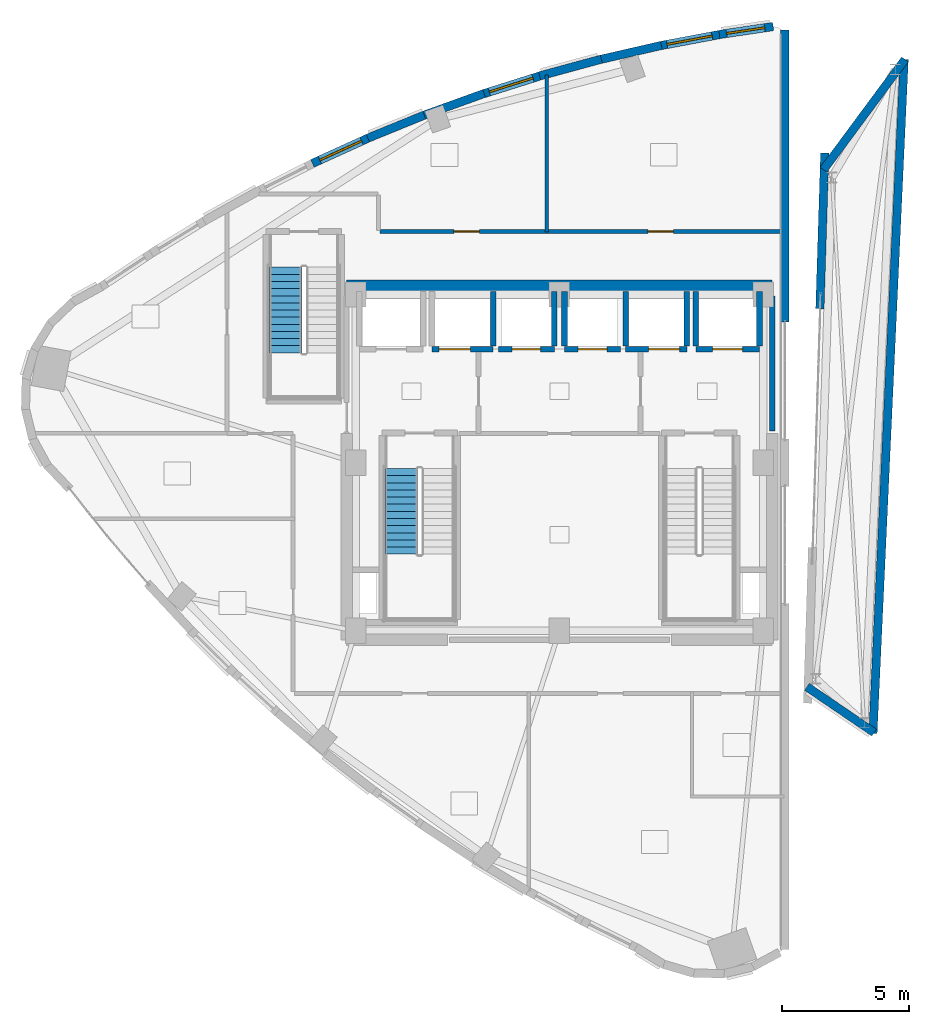
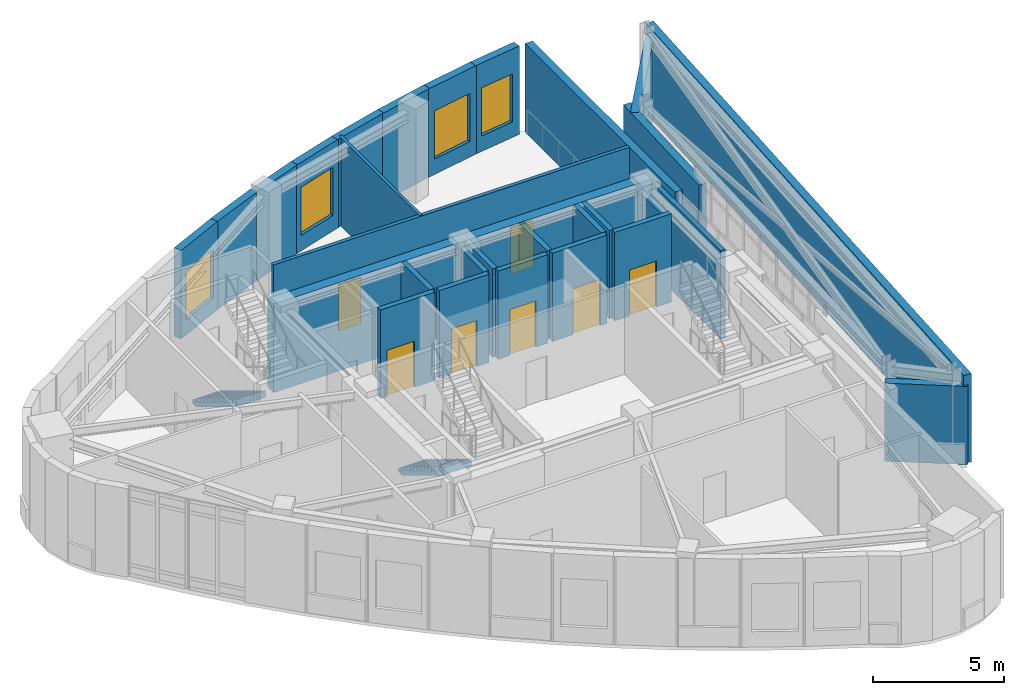
# One storey, part 15 of 19: 29 walls, 7 doors, 4 windows, 2 stair flights, 11 openings, 2 elements without a shape of their own.
"""IFC4 building model written with IfcOpenShell, lengths in metres."""

import ifcopenshell
import ifcopenshell.guid

model = None  # the IFC model being written
_history = None  # IfcOwnerHistory: only IFC2X3 demands one
_inside = {}  # id of a spatial element -> (the spatial element, [elements in it])
_under = {}  # id of a project, library or spatial element -> (it, [spatial elements below it])
_declared = {}  # id of a project -> (the project, [libraries it declares])
_typed = {}  # id of a type object -> (the type object, [elements of that type])
_made_of = {}  # id of a material, layer set ... -> (it, [elements and type objects made of it])


def new_model(schema):
    """Start an empty IFC model of exactly this schema.

    Asked for "IFC4X3", IfcOpenShell would pick the latest addendum, in which some entities
    have other attributes; the version numbers below select the first issue.
    IFC2X3 requires an IfcOwnerHistory on every rooted entity: one is made here for all.
    """
    global model, _history
    if schema == "IFC4X3":
        model = ifcopenshell.file(schema_version=(4, 3, 0, 0))
    else:
        model = ifcopenshell.file(schema=schema)
    _inside.clear()
    _under.clear()
    _declared.clear()
    _typed.clear()
    _made_of.clear()
    _history = None
    if model.schema == "IFC2X3":
        org = make("IfcOrganization", Name="unknown")
        user = make(
            "IfcPersonAndOrganization",
            ThePerson=make("IfcPerson", FamilyName="unknown"),
            TheOrganization=org,
        )
        app = make(
            "IfcApplication",
            ApplicationDeveloper=org,
            Version="unknown",
            ApplicationFullName="unknown",
            ApplicationIdentifier="unknown",
        )
        _history = make(
            "IfcOwnerHistory",
            OwningUser=user,
            OwningApplication=app,
            ChangeAction="ADDED",
            CreationDate=0,
        )
    return model


def make(cls, **values):
    """One entity of the class cls with the attributes given. An attribute that is None is left unset."""
    return model.create_entity(
        cls, **{name: value for name, value in values.items() if value is not None}
    )


def rooted(cls, **values):
    """An entity with a GlobalId (a new one), such as an element, a storey or a relation."""
    return make(cls, GlobalId=ifcopenshell.guid.new(), OwnerHistory=_history, **values)


def si_unit(unit_type, name, prefix=None):
    """IfcSIUnit, for example si_unit("LENGTHUNIT", "METRE", prefix="MILLI")."""
    return make("IfcSIUnit", UnitType=unit_type, Prefix=prefix, Name=name)


def assignment(units):
    """IfcUnitAssignment: the units of a project."""
    return None if units is None else make("IfcUnitAssignment", Units=units)


def point(xyz):
    """IfcCartesianPoint."""
    return None if xyz is None else make("IfcCartesianPoint", Coordinates=xyz)


def direction(xyz):
    """IfcDirection."""
    return None if xyz is None else make("IfcDirection", DirectionRatios=xyz)


def frame(location, z_axis=None, x_axis=None):
    """IfcAxis2Placement3D, a coordinate frame: its origin and axes. An axis left out is left unset."""
    return make(
        "IfcAxis2Placement3D",
        Location=point(location),
        Axis=direction(z_axis),
        RefDirection=direction(x_axis),
    )


def frame_2d(location, x_axis=None):
    """IfcAxis2Placement2D, a coordinate frame in the plane: its origin and x axis."""
    return make(
        "IfcAxis2Placement2D", Location=point(location), RefDirection=direction(x_axis)
    )


def origin():
    """The frame at (0, 0, 0) with its axes left unset."""
    return frame((0.0, 0.0, 0.0))


def place(relative_to, where):
    """IfcLocalPlacement: puts the frame where relative to a parent placement (None: the world)."""
    return make(
        "IfcLocalPlacement", PlacementRelTo=relative_to, RelativePlacement=where
    )


def context(
    kind, dimensions, precision=None, world=None, true_north=None, identifier=None
):
    """IfcGeometricRepresentationContext, for example the 3D "Model" context."""
    return make(
        "IfcGeometricRepresentationContext",
        ContextIdentifier=identifier,
        ContextType=kind,
        CoordinateSpaceDimension=dimensions,
        Precision=precision,
        WorldCoordinateSystem=world,
        TrueNorth=true_north,
    )


def subcontext(parent, identifier, kind, view, scale=None):
    """IfcGeometricRepresentationSubContext, for example "Body" below "Model"."""
    return make(
        "IfcGeometricRepresentationSubContext",
        ContextIdentifier=identifier,
        ContextType=kind,
        ParentContext=parent,
        TargetScale=scale,
        TargetView=view,
    )


def project(units=None, contexts=None):
    """IfcProject with its units and contexts."""
    return rooted(
        "IfcProject",
        Name="project",
        RepresentationContexts=contexts,
        UnitsInContext=assignment(units),
    )


def spatial(cls, under=None, at=None, **own):
    """A site, building, storey or space (cls), placed at a placement, below another one or the project."""
    s = rooted(cls, ObjectPlacement=at, **own)
    if under is not None:
        _under.setdefault(under.id(), (under, []))[1].append(s)
    return s


def polyline(points):
    """IfcPolyline through the points."""
    return make("IfcPolyline", Points=[point(p) for p in points])


def profile(cls, at=None, kind="AREA", **sizes):
    """A parametric profile (cls). Its sizes go by their IFC names, for example OverallWidth=200.0."""
    return make(cls, ProfileType=kind, Position=at, **sizes)


def rectangle(**sizes):
    """IfcRectangleProfileDef."""
    return profile("IfcRectangleProfileDef", **sizes)


def outline(outer, holes=None, kind="AREA"):
    """IfcArbitraryClosedProfileDef: a profile drawn as a closed curve; with holes, ...WithVoids."""
    if holes is None:
        return make("IfcArbitraryClosedProfileDef", ProfileType=kind, OuterCurve=outer)
    return make(
        "IfcArbitraryProfileDefWithVoids",
        ProfileType=kind,
        OuterCurve=outer,
        InnerCurves=holes,
    )


def extrude(swept, where, along, depth):
    """IfcExtrudedAreaSolid: the profile swept, set in the frame where, extruded along a direction by depth."""
    return make(
        "IfcExtrudedAreaSolid",
        SweptArea=swept,
        Position=where,
        ExtrudedDirection=direction(along),
        Depth=depth,
    )


def shape(context_of_items, identifier, shape_type, items):
    """IfcShapeRepresentation: the items that make up one representation, for example the "Body"."""
    return make(
        "IfcShapeRepresentation",
        ContextOfItems=context_of_items,
        RepresentationIdentifier=identifier,
        RepresentationType=shape_type,
        Items=items,
    )


def material(Name=None, Category=None):
    """IfcMaterial."""
    return make("IfcMaterial", Name=Name, Category=Category)


def layer(
    of_material, thickness, ventilated=None, Name=None, Category=None, Priority=None
):
    """IfcMaterialLayer: one layer of a wall or slab, of a material (None: an air gap)."""
    return make(
        "IfcMaterialLayer",
        Material=of_material,
        LayerThickness=thickness,
        IsVentilated=ventilated,
        Name=Name,
        Category=Category,
        Priority=Priority,
    )


def layer_set(layers, Name=None):
    """IfcMaterialLayerSet."""
    return make("IfcMaterialLayerSet", MaterialLayers=layers, LayerSetName=Name)


def made_of(thing, what):
    """Note that an element or type object is made of a material, layer set ...; save() writes the relation."""
    if what is not None:
        _made_of.setdefault(what.id(), (what, []))[1].append(thing)
    return thing


def type_object(cls, material=None, **own):
    """A type object (cls), such as IfcWallType, which elements share."""
    return made_of(rooted(cls, **own), material)


def element(
    cls,
    number,
    at=None,
    inside=None,
    cuts=None,
    type_object=None,
    material=None,
    context=None,
    identifier="Body",
    shape_type=None,
    held_by="IfcProductDefinitionShape",
    body=None,
    shapes=None,
    **own,
):
    """One element of the class cls, such as IfcWall. Its Tag is "e" and its number.

    at: its placement. inside: the storey or other place that contains it. cuts: it is an
    opening in that element (IfcRelVoidsElement). A single representation is given by context,
    identifier, shape_type and body (its items); several are given by shapes. held_by: the class
    of the entity that holds the representations. save() writes the other relations.
    """
    e = rooted(cls, Tag="e%d" % number, ObjectPlacement=at, **own)
    if body is not None:
        shapes = [shape(context, identifier, shape_type, body)]
    if shapes is not None:
        e.Representation = make(held_by, Representations=shapes)
    if inside is not None:
        _inside.setdefault(inside.id(), (inside, []))[1].append(e)
    if cuts is not None:
        rooted(
            "IfcRelVoidsElement", RelatingBuildingElement=cuts, RelatedOpeningElement=e
        )
    if type_object is not None:
        _typed.setdefault(type_object.id(), (type_object, []))[1].append(e)
    return made_of(e, material)


def fill(opening, filler):
    """IfcRelFillsElement: the door or window that sits in an opening."""
    return rooted(
        "IfcRelFillsElement",
        RelatingOpeningElement=opening,
        RelatedBuildingElement=filler,
    )


def aggregate(whole, parts):
    """IfcRelAggregates: a whole, such as a stair, and the parts it consists of."""
    return rooted("IfcRelAggregates", RelatingObject=whole, RelatedObjects=parts)


def save(model, path):
    """Write the relations noted so far, then the file.

    IfcRelAggregates (storeys below a building ...), IfcRelContainedInSpatialStructure (elements
    in a storey), IfcRelDefinesByType, IfcRelAssociatesMaterial and IfcRelDeclares: one each for
    every whole, place, type object, material and project.
    """
    for whole, parts in _under.values():
        aggregate(whole, parts)
    for where, things in _inside.values():
        rooted(
            "IfcRelContainedInSpatialStructure",
            RelatedElements=things,
            RelatingStructure=where,
        )
    for kind, things in _typed.values():
        rooted("IfcRelDefinesByType", RelatedObjects=things, RelatingType=kind)
    for what, things in _made_of.values():
        rooted("IfcRelAssociatesMaterial", RelatedObjects=things, RelatingMaterial=what)
    for by, libraries in _declared.values():
        rooted("IfcRelDeclares", RelatingContext=by, RelatedDefinitions=libraries)
    model.write(path)


model = new_model("IFC4")

# Units and contexts
model_context = context("Model", 3, precision=1e-05, world=origin(), true_north=direction((0.0, 1.0)))
body_context = subcontext(model_context, "Body", "Model", "MODEL_VIEW")
ifc_project = project(units=[si_unit("LENGTHUNIT", "METRE"), si_unit("AREAUNIT", "SQUARE_METRE"), si_unit("VOLUMEUNIT", "CUBIC_METRE"), si_unit("PLANEANGLEUNIT", "RADIAN"), si_unit("MASSUNIT", "GRAM", prefix="KILO")], contexts=[model_context])

# Site, building, storey
site_placement = place(None, origin())
site = spatial("IfcSite", under=ifc_project, at=site_placement, CompositionType="ELEMENT")
building_placement = place(site_placement, origin())
building = spatial("IfcBuilding", under=site, at=building_placement, Name="Ndelora Gate Hotel", CompositionType="ELEMENT")
storey_placement = place(building_placement, frame((0.0, 0.0, 290.39990234375)))
storey = spatial("IfcBuildingStorey", under=building, at=storey_placement, Name="L72", CompositionType="ELEMENT", Elevation=290.39990234375)

# Walls
ifc_material_1 = material(Name="Clay Brick Masonry", Category="masonry")
ifc_layer_1 = layer(ifc_material_1, 0.330078125)
ifc_layer_set_1 = layer_set([ifc_layer_1], Name="Clay Brick Masonry")
wall_type_1 = type_object("IfcWallType", Name="WL-BRICK-330", PredefinedType="SOLIDWALL", material=ifc_layer_set_1)
wall_1_placement = place(storey_placement, frame((8.85009765625, 16.986572265625, 0.0), z_axis=(0.0, 0.0, 1.0), x_axis=(0.0, -1.0, 0.0)))
element("IfcWall", 1, at=wall_1_placement, inside=storey, type_object=wall_type_1, Name="L72 West Crown Canyon Brick Pier 3", PredefinedType="SOLIDWALL", context=body_context, shape_type="SweptSolid", body=[
    extrude(rectangle(XDim=11.466552734375, YDim=0.330078125, at=frame_2d((5.7333984375, 0.0))), origin(), (0.0, 0.0, 1.0), 4.130126953125),
])
wall_2_placement = place(storey_placement, frame((10.220703125, 6.041015625, 0.0), z_axis=(0.0, 0.0, 1.0), x_axis=(0.031147484759, 0.999514799387, 0.0)))
element("IfcWall", 2, at=wall_2_placement, inside=storey, type_object=wall_type_1, Name="L72 East Crown Canyon Brick Pier 2", PredefinedType="SOLIDWALL", context=body_context, shape_type="SweptSolid", body=[
    extrude(rectangle(XDim=6.11376953125, YDim=0.330078125, at=frame_2d((3.056884765625, 0.0))), origin(), (0.0, 0.0, 1.0), 3.650146484375),
])

# Wall, opening, window
wall_3_placement = place(storey_placement, frame((6.27734375, 16.80419921875, 0.0), z_axis=(0.0, 0.0, 1.0), x_axis=(0.989170885367, 0.146768387409, 0.0)))
wall_3 = element("IfcWall", 3, at=wall_3_placement, inside=storey, type_object=wall_type_1, Name="L72 Tower Brick Pier-and-Spandrel Wall WPK-52", PredefinedType="SOLIDWALL", context=body_context, shape_type="SweptSolid", body=[
    extrude(rectangle(XDim=2.13427734375, YDim=0.330078125, at=frame_2d((1.067138671875, 0.0))), origin(), (0.0, 0.0, 1.0), 4.130126953125),
])
opening_1_placement = place(wall_3_placement, frame((0.281982421875, 0.0, 0.719970703125)))
opening_1 = element("IfcOpeningElement", 4, at=opening_1_placement, cuts=wall_3, Name="Opening W06", PredefinedType="OPENING", context=body_context, shape_type="SweptSolid", body=[
    extrude(rectangle(XDim=1.510009765625, YDim=2.25, at=frame_2d((0.7548828125, 1.125))), frame((0.0, 0.175048828125, 0.0), z_axis=(0.0, -1.0, 0.0), x_axis=(1.0, 0.0, 0.0)), (0.0, 0.0, 1.0), 0.35009765625),
])
ifc_material_2 = material(Name="Insulated Low-E Double Glazing in Bronze Aluminium Frame", Category="aluminium")
window_type = type_object("IfcWindowType", Name="WN-OBS-1800", PartitioningType="SINGLE_PANEL", PredefinedType="WINDOW", material=ifc_material_2)
window_1_placement = place(opening_1_placement, origin())
window_1 = element("IfcWindow", 5, at=window_1_placement, inside=storey, type_object=window_type, Name="L72 Deep-Set Brick-Pier Window W06", OverallHeight=2.25, OverallWidth=1.510009765625, PartitioningType="SINGLE_PANEL", PredefinedType="WINDOW", context=body_context, shape_type="SweptSolid", body=[
    extrude(rectangle(XDim=1.510009765625, YDim=2.25, at=frame_2d((0.7548828125, 1.125))), frame((0.0, 0.030029296875, 0.0), z_axis=(0.0, -1.0, 0.0), x_axis=(1.0, 0.0, 0.0)), (0.0, 0.0, 1.0), 0.06005859375),
])
fill(opening_1, window_1)

wall_4_placement = place(storey_placement, frame((3.890869140625, 16.352294921875, 0.0), z_axis=(0.0, 0.0, 1.0), x_axis=(0.982698658406, 0.185211626978, 0.0)))
wall_4 = element("IfcWall", 6, at=wall_4_placement, inside=storey, type_object=wall_type_1, Name="L72 Tower Brick Pier-and-Spandrel Wall WPK-53", PredefinedType="SOLIDWALL", context=body_context, shape_type="SweptSolid", body=[
    extrude(rectangle(XDim=2.538818359375, YDim=0.330078125, at=frame_2d((1.26953125, 0.0))), origin(), (0.0, 0.0, 1.0), 4.130126953125),
])
opening_2_placement = place(wall_4_placement, frame((0.33935546875, 0.0, 0.719970703125)))
opening_2 = element("IfcOpeningElement", 7, at=opening_2_placement, cuts=wall_4, Name="Opening W06", PredefinedType="OPENING", context=body_context, shape_type="SweptSolid", body=[
    extrude(rectangle(XDim=1.800048828125, YDim=2.25, at=frame_2d((0.89990234375, 1.125))), frame((0.0, 0.175048828125, 0.0), z_axis=(0.0, -1.0, 0.0), x_axis=(1.0, 0.0, 0.0)), (0.0, 0.0, 1.0), 0.35009765625),
])
window_2_placement = place(opening_2_placement, origin())
window_2 = element("IfcWindow", 8, at=window_2_placement, inside=storey, type_object=window_type, Name="L72 Deep-Set Brick-Pier Window W06", OverallHeight=2.25, OverallWidth=1.800048828125, PartitioningType="SINGLE_PANEL", PredefinedType="WINDOW", context=body_context, shape_type="SweptSolid", body=[
    extrude(rectangle(XDim=1.800048828125, YDim=2.25, at=frame_2d((0.89990234375, 1.125))), frame((0.0, 0.030029296875, 0.0), z_axis=(0.0, -1.0, 0.0), x_axis=(1.0, 0.0, 0.0)), (0.0, 0.0, 1.0), 0.06005859375),
])
fill(opening_2, window_2)

# Walls
wall_5_placement = place(storey_placement, frame((1.539306640625, 15.810302734375, 0.0), z_axis=(0.0, 0.0, 1.0), x_axis=(0.974635230038, 0.223799393138, 0.0)))
element("IfcWall", 9, at=wall_5_placement, inside=storey, type_object=wall_type_1, Name="L72 Tower Brick Pier-and-Spandrel Wall WPK-54", PredefinedType="SOLIDWALL", context=body_context, shape_type="SweptSolid", body=[
    extrude(rectangle(XDim=2.523193359375, YDim=0.330078125, at=frame_2d((1.26171875, 0.0))), origin(), (0.0, 0.0, 1.0), 4.130126953125),
])
wall_6_placement = place(storey_placement, frame((-0.777099609375, 15.177734375, 0.0), z_axis=(0.0, 0.0, 1.0), x_axis=(0.964907263861, 0.262590883596, 0.0)))
element("IfcWall", 10, at=wall_6_placement, inside=storey, type_object=wall_type_1, Name="L72 Tower Brick Pier-and-Spandrel Wall WPK-55", PredefinedType="SOLIDWALL", context=body_context, shape_type="SweptSolid", body=[
    extrude(rectangle(XDim=2.51123046875, YDim=0.330078125, at=frame_2d((1.255615234375, 0.0))), origin(), (0.0, 0.0, 1.0), 4.130126953125),
])

# Wall, opening, window
wall_7_placement = place(storey_placement, frame((-3.05859375, 14.454833984375, 0.0), z_axis=(0.0, 0.0, 1.0), x_axis=(0.953576769374, 0.301150037209, 0.0)))
wall_7 = element("IfcWall", 11, at=wall_7_placement, inside=storey, type_object=wall_type_1, Name="L72 Tower Brick Pier-and-Spandrel Wall WPK-56", PredefinedType="SOLIDWALL", context=body_context, shape_type="SweptSolid", body=[
    extrude(rectangle(XDim=2.50341796875, YDim=0.330078125, at=frame_2d((1.251708984375, 0.0))), origin(), (0.0, 0.0, 1.0), 4.130126953125),
])
opening_3_placement = place(wall_7_placement, frame((0.321533203125, 0.0, 0.719970703125)))
opening_3 = element("IfcOpeningElement", 12, at=opening_3_placement, cuts=wall_7, Name="Opening W06", PredefinedType="OPENING", context=body_context, shape_type="SweptSolid", body=[
    extrude(rectangle(XDim=1.800048828125, YDim=2.25, at=frame_2d((0.89990234375, 1.125))), frame((0.0, 0.175048828125, 0.0), z_axis=(0.0, -1.0, 0.0), x_axis=(1.0, 0.0, 0.0)), (0.0, 0.0, 1.0), 0.35009765625),
])
window_3_placement = place(opening_3_placement, origin())
window_3 = element("IfcWindow", 13, at=window_3_placement, inside=storey, type_object=window_type, Name="L72 Deep-Set Brick-Pier Window W06", OverallHeight=2.25, OverallWidth=1.800048828125, PartitioningType="SINGLE_PANEL", PredefinedType="WINDOW", context=body_context, shape_type="SweptSolid", body=[
    extrude(rectangle(XDim=1.800048828125, YDim=2.25, at=frame_2d((0.89990234375, 1.125))), frame((0.0, 0.030029296875, 0.0), z_axis=(0.0, -1.0, 0.0), x_axis=(1.0, 0.0, 0.0)), (0.0, 0.0, 1.0), 0.06005859375),
])
fill(opening_3, window_3)

# Walls
for number, where, z_axis, x_axis, name in (
    (14, (-5.30517578125, 13.6416015625, 0.0), (0.0, 0.0, 1.0), (0.940589433812, 0.33954604548, 0.0), "L72 Tower Brick Pier-and-Spandrel Wall WPK-57"),
    (15, (-7.51708984375, 12.73779296875, 0.0), (0.0, 0.0, 1.0), (0.926065809797, 0.377362048866, 0.0), "L72 Tower Brick Pier-and-Spandrel Wall WPK-58"),
):
    element("IfcWall", number, at=place(storey_placement, frame(where, z_axis=z_axis, x_axis=x_axis)), inside=storey, type_object=wall_type_1, Name=name, PredefinedType="SOLIDWALL", context=body_context, shape_type="SweptSolid", body=[
        extrude(rectangle(XDim=2.499267578125, YDim=0.330078125, at=frame_2d((1.24951171875, 0.0))), origin(), (0.0, 0.0, 1.0), 4.130126953125),
    ])

# Wall, opening, window
wall_8_placement = place(storey_placement, frame((-9.694091796875, 11.743896484375, 0.0), z_axis=(0.0, 0.0, 1.0), x_axis=(0.910048904543, 0.414500894257, 0.0)))
wall_8 = element("IfcWall", 16, at=wall_8_placement, inside=storey, type_object=wall_type_1, Name="L72 Tower Brick Pier-and-Spandrel Wall WPK-59", PredefinedType="SOLIDWALL", context=body_context, shape_type="SweptSolid", body=[
    extrude(rectangle(XDim=2.503173828125, YDim=0.330078125, at=frame_2d((1.25146484375, 0.0))), origin(), (0.0, 0.0, 1.0), 4.130126953125),
])
opening_4_placement = place(wall_8_placement, frame((0.321533203125, 0.0, 0.719970703125)))
opening_4 = element("IfcOpeningElement", 17, at=opening_4_placement, cuts=wall_8, Name="Opening W06", PredefinedType="OPENING", context=body_context, shape_type="SweptSolid", body=[
    extrude(rectangle(XDim=1.800048828125, YDim=2.25, at=frame_2d((0.89990234375, 1.125))), frame((0.0, 0.175048828125, 0.0), z_axis=(0.0, -1.0, 0.0), x_axis=(1.0, 0.0, 0.0)), (0.0, 0.0, 1.0), 0.35009765625),
])
window_4_placement = place(opening_4_placement, origin())
window_4 = element("IfcWindow", 18, at=window_4_placement, inside=storey, type_object=window_type, Name="L72 Deep-Set Brick-Pier Window W06", OverallHeight=2.25, OverallWidth=1.800048828125, PartitioningType="SINGLE_PANEL", PredefinedType="WINDOW", context=body_context, shape_type="SweptSolid", body=[
    extrude(rectangle(XDim=1.800048828125, YDim=2.25, at=frame_2d((0.89990234375, 1.125))), frame((0.0, 0.030029296875, 0.0), z_axis=(0.0, -1.0, 0.0), x_axis=(1.0, 0.0, 0.0)), (0.0, 0.0, 1.0), 0.06005859375),
])
fill(opening_4, window_4)

# Walls
wall_9_placement = place(storey_placement, frame((12.352294921875, -10.593017578125, 0.0), z_axis=(0.0, 0.0, 1.0), x_axis=(-0.82687387766, 0.562387402459, 0.0)))
element("IfcWall", 19, at=wall_9_placement, inside=storey, type_object=wall_type_1, Name="L72 Tower Brick Pier-and-Spandrel Wall EPK-1", PredefinedType="SOLIDWALL", context=body_context, shape_type="SweptSolid", body=[
    extrude(rectangle(XDim=3.19287109375, YDim=0.330078125, at=frame_2d((1.596435546875, 0.0))), origin(), (0.0, 0.0, 1.0), 3.650146484375),
])
wall_10_placement = place(storey_placement, frame((13.529541015625, 15.833251953125, 0.0), z_axis=(0.0, 0.0, 1.0), x_axis=(-0.046267121777, -0.998929103311, 0.0)))
element("IfcWall", 20, at=wall_10_placement, inside=storey, type_object=wall_type_1, Name="L72 Tower Brick Pier-and-Spandrel Wall EPK-2", PredefinedType="SOLIDWALL", context=body_context, shape_type="SweptSolid", body=[
    extrude(rectangle(XDim=26.478759765625, YDim=0.330078125, at=frame_2d((13.2392578125, 0.0))), origin(), (0.0, 0.0, 1.0), 4.130126953125),
])
wall_11_placement = place(storey_placement, frame((10.359375, 11.49658203125, 0.0), z_axis=(0.0, 0.0, 1.0), x_axis=(0.594753293949, 0.803908277938, 0.0)))
element("IfcWall", 21, at=wall_11_placement, inside=storey, type_object=wall_type_1, Name="L72 Tower Brick Pier-and-Spandrel Wall EPK-3", PredefinedType="SOLIDWALL", context=body_context, shape_type="SweptSolid", body=[
    extrude(rectangle(XDim=5.381103515625, YDim=0.330078125, at=frame_2d((2.6904296875, 0.0))), origin(), (0.0, 0.0, 1.0), 3.650146484375),
])
ifc_material_3 = material(Name="Concrete C50/60", Category="concrete")
ifc_layer_2 = layer(ifc_material_3, 0.449951171875)
ifc_layer_set_2 = layer_set([ifc_layer_2], Name="Concrete C50/60")
wall_type_2 = type_object("IfcWallType", Name="WL-CORE-450", PredefinedType="SHEAR", material=ifc_layer_set_2)
wall_12_placement = place(storey_placement, frame((-8.35009765625, 6.949951171875, 0.0), z_axis=(0.0, 0.0, 1.0), x_axis=(1.0, 0.0, 0.0)))
element("IfcWall", 22, at=wall_12_placement, inside=storey, type_object=wall_type_2, Name="L72 Core Shear Wall N", PredefinedType="SHEAR", context=body_context, shape_type="SweptSolid", body=[
    extrude(rectangle(XDim=16.7001953125, YDim=0.449951171875, at=frame_2d((8.35009765625, 0.0))), origin(), (0.0, 0.0, 1.0), 4.130126953125),
])
ifc_material_4 = material(Name="Concrete C40/50", Category="concrete")
ifc_layer_3 = layer(ifc_material_4, 0.199951171875)
ifc_layer_set_3 = layer_set([ifc_layer_3], Name="Concrete C40/50")
wall_type_3 = type_object("IfcWallType", Name="WL-FIRE-200", PredefinedType="PARTITIONING", material=ifc_layer_set_3)
wall_13_placement = place(storey_placement, frame((8.35009765625, 1.25, 0.0), z_axis=(0.0, 0.0, 1.0), x_axis=(0.0, 1.0, 0.0)))
element("IfcWall", 23, at=wall_13_placement, inside=storey, type_object=wall_type_3, Name="L72 Interior Wall IW-2", PredefinedType="PARTITIONING", context=body_context, shape_type="SweptSolid", body=[
    extrude(rectangle(XDim=5.300048828125, YDim=0.199951171875, at=frame_2d((2.64990234375, 0.0))), origin(), (0.0, 0.0, 1.0), 4.130126953125),
])

# Wall, openings, doors
ifc_material_5 = material(Name="Fire-Rated Gypsum Stud Partition", Category="gypsum")
ifc_layer_4 = layer(ifc_material_5, 0.159912109375)
ifc_layer_set_4 = layer_set([ifc_layer_4], Name="Fire-Rated Gypsum Stud Partition")
wall_type_4 = type_object("IfcWallType", Name="WL-PART-160", PredefinedType="PARTITIONING", material=ifc_layer_set_4)
wall_14_placement = place(storey_placement, frame((8.699951171875, 9.070068359375, 0.0), z_axis=(0.0, 0.0, 1.0), x_axis=(-1.0, 0.0, 0.0)))
wall_14 = element("IfcWall", 24, at=wall_14_placement, inside=storey, type_object=wall_type_4, Name="L72 Interior Wall IW-4", PredefinedType="PARTITIONING", context=body_context, shape_type="SweptSolid", body=[
    extrude(rectangle(XDim=15.75, YDim=0.159912109375, at=frame_2d((7.875, 0.0))), origin(), (0.0, 0.0, 1.0), 4.130126953125),
])
opening_5_placement = place(wall_14_placement, frame((11.844970703125, 0.0, 0.0)))
opening_5 = element("IfcOpeningElement", 25, at=opening_5_placement, cuts=wall_14, Name="Opening D01", PredefinedType="OPENING", context=body_context, shape_type="SweptSolid", body=[
    extrude(rectangle(XDim=1.0, YDim=2.14990234375, at=frame_2d((0.5, 1.074951171875))), frame((0.0, 0.08984375, 0.0), z_axis=(0.0, -1.0, 0.0), x_axis=(1.0, 0.0, 0.0)), (0.0, 0.0, 1.0), 0.179931640625),
])
opening_6_placement = place(wall_14_placement, frame((4.22998046875, 0.0, 0.0)))
opening_6 = element("IfcOpeningElement", 26, at=opening_6_placement, cuts=wall_14, Name="Opening D01", PredefinedType="OPENING", context=body_context, shape_type="SweptSolid", body=[
    extrude(rectangle(XDim=1.0, YDim=2.14990234375, at=frame_2d((0.5, 1.074951171875))), frame((0.0, 0.08984375, 0.0), z_axis=(0.0, -1.0, 0.0), x_axis=(1.0, 0.0, 0.0)), (0.0, 0.0, 1.0), 0.179931640625),
])
ifc_material_6 = material(Name="Acoustic Hardwood Guest Entrance Door", Category="wood")
door_type_1 = type_object("IfcDoorType", Name="DR-COR-1000", OperationType="SINGLE_SWING_LEFT", PredefinedType="DOOR", material=ifc_material_6)
door_1_placement = place(opening_5_placement, origin())
door_1 = element("IfcDoor", 27, at=door_1_placement, inside=storey, type_object=door_type_1, Name="L72 Panoramic Telescope Exhibition Room Door", OperationType="SINGLE_SWING_LEFT", OverallHeight=2.14990234375, OverallWidth=1.0, PredefinedType="DOOR", context=body_context, shape_type="SweptSolid", body=[
    extrude(rectangle(XDim=1.0, YDim=2.14990234375, at=frame_2d((0.5, 1.074951171875))), frame((0.0, 0.02490234375, 0.0), z_axis=(0.0, -1.0, 0.0), x_axis=(1.0, 0.0, 0.0)), (0.0, 0.0, 1.0), 0.050048828125),
])
fill(opening_5, door_1)
door_2_placement = place(opening_6_placement, origin())
door_2 = element("IfcDoor", 28, at=door_2_placement, inside=storey, type_object=door_type_1, Name="L72 Highland Espresso Dining Restaurant Door", OperationType="SINGLE_SWING_RIGHT", OverallHeight=2.14990234375, OverallWidth=1.0, PredefinedType="DOOR", context=body_context, shape_type="SweptSolid", body=[
    extrude(rectangle(XDim=1.0, YDim=2.14990234375, at=frame_2d((0.5, 1.074951171875))), frame((0.0, 0.02490234375, 0.0), z_axis=(0.0, -1.0, 0.0), x_axis=(1.0, 0.0, 0.0)), (0.0, 0.0, 1.0), 0.050048828125),
])
fill(opening_6, door_2)

# Wall, opening, door
ifc_layer_5 = layer(ifc_material_4, 0.219970703125)
ifc_layer_set_5 = layer_set([ifc_layer_5], Name="Concrete C40/50")
wall_type_5 = type_object("IfcWallType", Name="WL-SHAFT-220", PredefinedType="PARTITIONING", material=ifc_layer_set_5)
wall_15_placement = place(storey_placement, frame((5.35009765625, 4.449951171875, 0.0), z_axis=(0.0, 0.0, 1.0), x_axis=(1.0, 0.0, 0.0)))
wall_15 = element("IfcWall", 29, at=wall_15_placement, inside=storey, type_object=wall_type_5, Name="L72 Interior Wall IW-1", PredefinedType="PARTITIONING", context=body_context, shape_type="SweptSolid", body=[
    extrude(rectangle(XDim=2.5, YDim=0.219970703125, at=frame_2d((1.25, 0.0))), origin(), (0.0, 0.0, 1.0), 4.130126953125),
])
opening_7_placement = place(wall_15_placement, frame((0.659912109375, 0.0, 0.0)))
opening_7 = element("IfcOpeningElement", 30, at=opening_7_placement, cuts=wall_15, Name="Opening LD5", PredefinedType="OPENING", context=body_context, shape_type="SweptSolid", body=[
    extrude(rectangle(XDim=1.179931640625, YDim=2.14990234375, at=frame_2d((0.58984375, 1.074951171875))), frame((0.0, 0.1201171875, 0.0), z_axis=(0.0, -1.0, 0.0), x_axis=(1.0, 0.0, 0.0)), (0.0, 0.0, 1.0), 0.239990234375),
])
ifc_material_7 = material(Name="Firefighting Lift Stainless Sliding Landing Door", Category="metal")
door_type_2 = type_object("IfcDoorType", Name="DR-LD5", OperationType="DOUBLE_DOOR_SLIDING", PredefinedType="DOOR", material=ifc_material_7)
door_3_placement = place(opening_7_placement, origin())
door_3 = element("IfcDoor", 31, at=door_3_placement, inside=storey, type_object=door_type_2, Name="L72 Lift Landing Sliding Door FFL2", OperationType="DOUBLE_DOOR_SLIDING", OverallHeight=2.14990234375, OverallWidth=1.179931640625, PredefinedType="DOOR", context=body_context, shape_type="SweptSolid", body=[
    extrude(rectangle(XDim=1.179931640625, YDim=2.14990234375, at=frame_2d((0.58984375, 1.074951171875))), frame((0.0, 0.02490234375, 0.0), z_axis=(0.0, -1.0, 0.0), x_axis=(1.0, 0.0, 0.0)), (0.0, 0.0, 1.0), 0.050048828125),
])
fill(opening_7, door_3)

# Walls
wall_16_placement = place(storey_placement, frame((5.35009765625, 4.570068359375, 0.0), z_axis=(0.0, 0.0, 1.0), x_axis=(0.0, 1.0, 0.0)))
element("IfcWall", 32, at=wall_16_placement, inside=storey, type_object=wall_type_5, Name="L72 Interior Wall IW-1", PredefinedType="PARTITIONING", context=body_context, shape_type="SweptSolid", body=[
    extrude(rectangle(XDim=2.155029296875, YDim=0.219970703125, at=frame_2d((1.07763671875, 0.0))), origin(), (0.0, 0.0, 1.0), 4.130126953125),
])
wall_17_placement = place(storey_placement, frame((7.85009765625, 4.570068359375, 0.0), z_axis=(0.0, 0.0, 1.0), x_axis=(0.0, 1.0, 0.0)))
element("IfcWall", 33, at=wall_17_placement, inside=storey, type_object=wall_type_5, Name="L72 Interior Wall IW-1", PredefinedType="PARTITIONING", context=body_context, shape_type="SweptSolid", body=[
    extrude(rectangle(XDim=2.155029296875, YDim=0.219970703125, at=frame_2d((1.07763671875, 0.0))), origin(), (0.0, 0.0, 1.0), 3.81005859375),
])

# Wall, opening, door
wall_18_placement = place(storey_placement, frame((-5.0, 4.449951171875, 0.0), z_axis=(0.0, 0.0, 1.0), x_axis=(1.0, 0.0, 0.0)))
wall_18 = element("IfcWall", 34, at=wall_18_placement, inside=storey, type_object=wall_type_5, Name="L72 Interior Wall IW-1", PredefinedType="PARTITIONING", context=body_context, shape_type="SweptSolid", body=[
    extrude(rectangle(XDim=2.39990234375, YDim=0.219970703125, at=frame_2d((1.199951171875, 0.0))), origin(), (0.0, 0.0, 1.0), 4.130126953125),
])
opening_8_placement = place(wall_18_placement, frame((0.280029296875, 0.0, 0.0)))
opening_8 = element("IfcOpeningElement", 35, at=opening_8_placement, cuts=wall_18, Name="Opening LD6", PredefinedType="OPENING", context=body_context, shape_type="SweptSolid", body=[
    extrude(rectangle(XDim=1.219970703125, YDim=2.14990234375, at=frame_2d((0.60986328125, 1.074951171875))), frame((0.0, 0.1201171875, 0.0), z_axis=(0.0, -1.0, 0.0), x_axis=(1.0, 0.0, 0.0)), (0.0, 0.0, 1.0), 0.239990234375),
])
ifc_material_8 = material(Name="Heavy-Duty Service Lift Sliding Landing Door", Category="wood")
door_type_3 = type_object("IfcDoorType", Name="DR-LD6", OperationType="DOUBLE_DOOR_SLIDING", PredefinedType="DOOR", material=ifc_material_8)
door_4_placement = place(opening_8_placement, origin())
door_4 = element("IfcDoor", 36, at=door_4_placement, inside=storey, type_object=door_type_3, Name="L72 Lift Landing Sliding Door SVL1", OperationType="DOUBLE_DOOR_SLIDING", OverallHeight=2.14990234375, OverallWidth=1.219970703125, PredefinedType="DOOR", context=body_context, shape_type="SweptSolid", body=[
    extrude(rectangle(XDim=1.219970703125, YDim=2.14990234375, at=frame_2d((0.60986328125, 1.074951171875))), frame((0.0, 0.02490234375, 0.0), z_axis=(0.0, -1.0, 0.0), x_axis=(1.0, 0.0, 0.0)), (0.0, 0.0, 1.0), 0.050048828125),
])
fill(opening_8, door_4)

# Wall
wall_19_placement = place(storey_placement, frame((-2.60009765625, 4.570068359375, 0.0), z_axis=(0.0, 0.0, 1.0), x_axis=(0.0, 1.0, 0.0)))
element("IfcWall", 37, at=wall_19_placement, inside=storey, type_object=wall_type_5, Name="L72 Interior Wall IW-1", PredefinedType="PARTITIONING", context=body_context, shape_type="SweptSolid", body=[
    extrude(rectangle(XDim=2.155029296875, YDim=0.219970703125, at=frame_2d((1.07763671875, 0.0))), origin(), (0.0, 0.0, 1.0), 4.130126953125),
])

# Wall, opening, door
wall_20_placement = place(storey_placement, frame((2.60009765625, 4.449951171875, 0.0), z_axis=(0.0, 0.0, 1.0), x_axis=(1.0, 0.0, 0.0)))
wall_20 = element("IfcWall", 38, at=wall_20_placement, inside=storey, type_object=wall_type_5, Name="L72 Interior Wall IW-1", PredefinedType="PARTITIONING", context=body_context, shape_type="SweptSolid", body=[
    extrude(rectangle(XDim=2.39990234375, YDim=0.219970703125, at=frame_2d((1.199951171875, 0.0))), origin(), (0.0, 0.0, 1.0), 4.130126953125),
])
opening_9_placement = place(wall_20_placement, frame((0.89990234375, 0.0, 0.0)))
opening_9 = element("IfcOpeningElement", 39, at=opening_9_placement, cuts=wall_20, Name="Opening LD6", PredefinedType="OPENING", context=body_context, shape_type="SweptSolid", body=[
    extrude(rectangle(XDim=1.219970703125, YDim=2.14990234375, at=frame_2d((0.60986328125, 1.074951171875))), frame((0.0, 0.1201171875, 0.0), z_axis=(0.0, -1.0, 0.0), x_axis=(1.0, 0.0, 0.0)), (0.0, 0.0, 1.0), 0.239990234375),
])
door_5_placement = place(opening_9_placement, origin())
door_5 = element("IfcDoor", 40, at=door_5_placement, inside=storey, type_object=door_type_3, Name="L72 Lift Landing Sliding Door SVL2", OperationType="DOUBLE_DOOR_SLIDING", OverallHeight=2.14990234375, OverallWidth=1.219970703125, PredefinedType="DOOR", context=body_context, shape_type="SweptSolid", body=[
    extrude(rectangle(XDim=1.219970703125, YDim=2.14990234375, at=frame_2d((0.60986328125, 1.074951171875))), frame((0.0, 0.02490234375, 0.0), z_axis=(0.0, -1.0, 0.0), x_axis=(1.0, 0.0, 0.0)), (0.0, 0.0, 1.0), 0.050048828125),
])
fill(opening_9, door_5)

# Walls
for number, where, z_axis, x_axis, name in (
    (41, (2.60009765625, 4.570068359375, 0.0), (0.0, 0.0, 1.0), (0.0, 1.0, 0.0), "L72 Interior Wall IW-1"),
    (42, (5.0, 4.570068359375, 0.0), (0.0, 0.0, 1.0), (0.0, 1.0, 0.0), "L72 Interior Wall IW-1"),
):
    element("IfcWall", number, at=place(storey_placement, frame(where, z_axis=z_axis, x_axis=x_axis)), inside=storey, type_object=wall_type_5, Name=name, PredefinedType="PARTITIONING", context=body_context, shape_type="SweptSolid", body=[
        extrude(rectangle(XDim=2.155029296875, YDim=0.219970703125, at=frame_2d((1.07763671875, 0.0))), origin(), (0.0, 0.0, 1.0), 4.130126953125),
    ])

# Wall, opening, door
wall_21_placement = place(storey_placement, frame((-2.39990234375, 4.449951171875, 0.0), z_axis=(0.0, 0.0, 1.0), x_axis=(1.0, 0.0, 0.0)))
wall_21 = element("IfcWall", 43, at=wall_21_placement, inside=storey, type_object=wall_type_5, Name="L72 Interior Wall IW-1", PredefinedType="PARTITIONING", context=body_context, shape_type="SweptSolid", body=[
    extrude(rectangle(XDim=2.199951171875, YDim=0.219970703125, at=frame_2d((1.10009765625, 0.0))), origin(), (0.0, 0.0, 1.0), 4.130126953125),
])
opening_10_placement = place(wall_21_placement, frame((0.5400390625, 0.0, 0.0)))
opening_10 = element("IfcOpeningElement", 44, at=opening_10_placement, cuts=wall_21, Name="Opening LD3", PredefinedType="OPENING", context=body_context, shape_type="SweptSolid", body=[
    extrude(rectangle(XDim=1.1201171875, YDim=2.14990234375, at=frame_2d((0.56005859375, 1.074951171875))), frame((0.0, 0.1201171875, 0.0), z_axis=(0.0, -1.0, 0.0), x_axis=(1.0, 0.0, 0.0)), (0.0, 0.0, 1.0), 0.239990234375),
])
ifc_material_9 = material(Name="Brushed Bronze Stainless Lift Landing Door", Category="metal")
door_type_4 = type_object("IfcDoorType", Name="DR-LD3", OperationType="DOUBLE_DOOR_SLIDING", PredefinedType="DOOR", material=ifc_material_9)
door_6_placement = place(opening_10_placement, origin())
door_6 = element("IfcDoor", 45, at=door_6_placement, inside=storey, type_object=door_type_4, Name="L72 Lift Landing Sliding Door P3A", OperationType="DOUBLE_DOOR_SLIDING", OverallHeight=2.14990234375, OverallWidth=1.1201171875, PredefinedType="DOOR", context=body_context, shape_type="SweptSolid", body=[
    extrude(rectangle(XDim=1.1201171875, YDim=2.14990234375, at=frame_2d((0.56005859375, 1.074951171875))), frame((0.0, 0.02490234375, 0.0), z_axis=(0.0, -1.0, 0.0), x_axis=(1.0, 0.0, 0.0)), (0.0, 0.0, 1.0), 0.050048828125),
])
fill(opening_10, door_6)

# Wall
wall_22_placement = place(storey_placement, frame((-0.199951171875, 4.570068359375, 0.0), z_axis=(0.0, 0.0, 1.0), x_axis=(0.0, 1.0, 0.0)))
element("IfcWall", 46, at=wall_22_placement, inside=storey, type_object=wall_type_5, Name="L72 Interior Wall IW-1", PredefinedType="PARTITIONING", context=body_context, shape_type="SweptSolid", body=[
    extrude(rectangle(XDim=2.155029296875, YDim=0.219970703125, at=frame_2d((1.07763671875, 0.0))), origin(), (0.0, 0.0, 1.0), 4.130126953125),
])

# Wall, opening, door
wall_23_placement = place(storey_placement, frame((0.199951171875, 4.449951171875, 0.0), z_axis=(0.0, 0.0, 1.0), x_axis=(1.0, 0.0, 0.0)))
wall_23 = element("IfcWall", 47, at=wall_23_placement, inside=storey, type_object=wall_type_5, Name="L72 Interior Wall IW-1", PredefinedType="PARTITIONING", context=body_context, shape_type="SweptSolid", body=[
    extrude(rectangle(XDim=2.199951171875, YDim=0.219970703125, at=frame_2d((1.10009765625, 0.0))), origin(), (0.0, 0.0, 1.0), 4.130126953125),
])
opening_11_placement = place(wall_23_placement, frame((0.530029296875, 0.0, 0.0)))
opening_11 = element("IfcOpeningElement", 48, at=opening_11_placement, cuts=wall_23, Name="Opening LD4", PredefinedType="OPENING", context=body_context, shape_type="SweptSolid", body=[
    extrude(rectangle(XDim=1.139892578125, YDim=2.14990234375, at=frame_2d((0.56982421875, 1.074951171875))), frame((0.0, 0.1201171875, 0.0), z_axis=(0.0, -1.0, 0.0), x_axis=(1.0, 0.0, 0.0)), (0.0, 0.0, 1.0), 0.239990234375),
])
door_type_5 = type_object("IfcDoorType", Name="DR-LD4", OperationType="DOUBLE_DOOR_SLIDING", PredefinedType="DOOR", material=ifc_material_9)
door_7_placement = place(opening_11_placement, origin())
door_7 = element("IfcDoor", 49, at=door_7_placement, inside=storey, type_object=door_type_5, Name="L72 Lift Landing Sliding Door EX1", OperationType="DOUBLE_DOOR_SLIDING", OverallHeight=2.14990234375, OverallWidth=1.139892578125, PredefinedType="DOOR", context=body_context, shape_type="SweptSolid", body=[
    extrude(rectangle(XDim=1.139892578125, YDim=2.14990234375, at=frame_2d((0.56982421875, 1.074951171875))), frame((0.0, 0.02490234375, 0.0), z_axis=(0.0, -1.0, 0.0), x_axis=(1.0, 0.0, 0.0)), (0.0, 0.0, 1.0), 0.050048828125),
])
fill(opening_11, door_7)

# Walls
wall_24_placement = place(storey_placement, frame((0.199951171875, 4.570068359375, 0.0), z_axis=(0.0, 0.0, 1.0), x_axis=(0.0, 1.0, 0.0)))
element("IfcWall", 50, at=wall_24_placement, inside=storey, type_object=wall_type_5, Name="L72 Interior Wall IW-1", PredefinedType="PARTITIONING", context=body_context, shape_type="SweptSolid", body=[
    extrude(rectangle(XDim=2.155029296875, YDim=0.219970703125, at=frame_2d((1.07763671875, 0.0))), origin(), (0.0, 0.0, 1.0), 4.130126953125),
])
ifc_material_10 = material(Name="Moisture-Resistant Fire-Rated Tile Partition", Category="gypsum")
ifc_layer_6 = layer(ifc_material_10, 0.1298828125)
ifc_layer_set_6 = layer_set([ifc_layer_6], Name="Moisture-Resistant Fire-Rated Tile Partition")
wall_type_6 = type_object("IfcWallType", Name="WL-WET-RATED", PredefinedType="PARTITIONING", material=ifc_layer_set_6)
wall_25_placement = place(storey_placement, frame((-0.5, 9.050048828125, 0.0), z_axis=(0.0, 0.0, 1.0), x_axis=(0.0, 1.0, 0.0)))
element("IfcWall", 51, at=wall_25_placement, inside=storey, type_object=wall_type_6, Name="L72 Interior Wall IW-6", PredefinedType="PARTITIONING", context=body_context, shape_type="SweptSolid", body=[
    extrude(rectangle(XDim=6.171875, YDim=0.1298828125, at=frame_2d((3.0859375, 0.0))), origin(), (0.0, 0.0, 1.0), 4.130126953125),
])

# Stair, stair flight
ifc_material_11 = material(Name="Precast concrete C40/50", Category="concrete")
stair_type = type_object("IfcStairType", Name="STR-DOG-CORE", PredefinedType="HALF_TURN_STAIR", material=ifc_material_11)
stair_1_placement = place(storey_placement, origin())
stair_1 = element("IfcStair", 52, at=stair_1_placement, inside=storey, type_object=stair_type, Name="L72 Protected Core Exit Stair ST4", PredefinedType="HALF_TURN_STAIR")
stair_flight_type = type_object("IfcStairFlightType", Name="STF-PRECAST", PredefinedType="STRAIGHT", material=ifc_material_11)
stair_flight_1_placement = place(storey_placement, frame((-6.2099609375, -0.22998046875, 0.0), z_axis=(0.0, 0.0, 1.0), x_axis=(0.0, -1.0, 0.0)))
stair_flight_1 = element("IfcStairFlight", 53, at=stair_flight_1_placement, type_object=stair_flight_type, Name="ST4 flight 1", NumberOfRisers=13, NumberOfTreads=12, PredefinedType="STRAIGHT", RiserHeight=0.169230769, TreadLength=0.28, context=body_context, shape_type="SweptSolid", body=[
    extrude(outline(polyline([(-0.00048828125, 0.0), (-0.00048828125, 0.169189453125), (0.0, 0.169189453125), (0.280029296875, 0.169189453125), (0.280029296875, 0.33837890625), (0.56005859375, 0.33837890625), (0.56005859375, 0.5078125), (0.840087890625, 0.5078125), (0.840087890625, 0.677001953125), (1.1201171875, 0.677001953125), (1.1201171875, 0.84619140625), (1.39990234375, 0.84619140625), (1.39990234375, 1.015380859375), (1.679931640625, 1.015380859375), (1.679931640625, 1.1845703125), (1.9599609375, 1.1845703125), (1.9599609375, 1.353759765625), (2.239990234375, 1.353759765625), (2.239990234375, 1.523193359375), (2.52001953125, 1.523193359375), (2.52001953125, 1.6923828125), (2.800048828125, 1.6923828125), (2.800048828125, 1.861572265625), (3.080078125, 1.861572265625), (3.080078125, 2.03076171875), (3.360107421875, 2.03076171875), (3.360107421875, 2.199951171875), (3.360595703125, 2.199951171875), (3.360595703125, 2.02001953125), (3.360107421875, 1.855712890625), (0.289794921875, 0.0), (-0.00048828125, 0.0)])), frame((0.0, 0.64013671875, 0.0), z_axis=(0.0, -1.0, 0.0), x_axis=(1.0, 0.0, 0.0)), (0.0, 0.0, 1.0), 1.280029296875),
])
aggregate(stair_1, [stair_flight_1])

stair_2_placement = place(storey_placement, origin())
stair_2 = element("IfcStair", 54, at=stair_2_placement, inside=storey, type_object=stair_type, Name="L72 Crown Observation Exit Stair ST6", PredefinedType="HALF_TURN_STAIR")
stair_flight_2_placement = place(storey_placement, frame((-10.75, 7.669921875, 0.0), z_axis=(0.0, 0.0, 1.0), x_axis=(0.0, -1.0, 0.0)))
stair_flight_2 = element("IfcStairFlight", 55, at=stair_flight_2_placement, type_object=stair_flight_type, Name="ST6 flight 1", NumberOfRisers=13, NumberOfTreads=12, PredefinedType="STRAIGHT", RiserHeight=0.169230769, TreadLength=0.28, context=body_context, shape_type="SweptSolid", body=[
    extrude(outline(polyline([(-0.00048828125, 0.0), (-0.00048828125, 0.169189453125), (0.0, 0.169189453125), (0.280029296875, 0.169189453125), (0.280029296875, 0.33837890625), (0.56005859375, 0.33837890625), (0.56005859375, 0.5078125), (0.840087890625, 0.5078125), (0.840087890625, 0.677001953125), (1.1201171875, 0.677001953125), (1.1201171875, 0.84619140625), (1.39990234375, 0.84619140625), (1.39990234375, 1.015380859375), (1.679931640625, 1.015380859375), (1.679931640625, 1.1845703125), (1.9599609375, 1.1845703125), (1.9599609375, 1.353759765625), (2.239990234375, 1.353759765625), (2.239990234375, 1.523193359375), (2.52001953125, 1.523193359375), (2.52001953125, 1.6923828125), (2.800048828125, 1.6923828125), (2.800048828125, 1.861572265625), (3.080078125, 1.861572265625), (3.080078125, 2.03076171875), (3.360107421875, 2.03076171875), (3.360107421875, 2.199951171875), (3.360595703125, 2.199951171875), (3.360595703125, 2.02001953125), (3.360107421875, 1.855712890625), (0.289794921875, 0.0), (-0.00048828125, 0.0)])), frame((0.0, 0.64013671875, 0.0), z_axis=(0.0, -1.0, 0.0), x_axis=(1.0, 0.0, 0.0)), (0.0, 0.0, 1.0), 1.280029296875),
])
aggregate(stair_2, [stair_flight_2])

save(model, "model.ifc")
